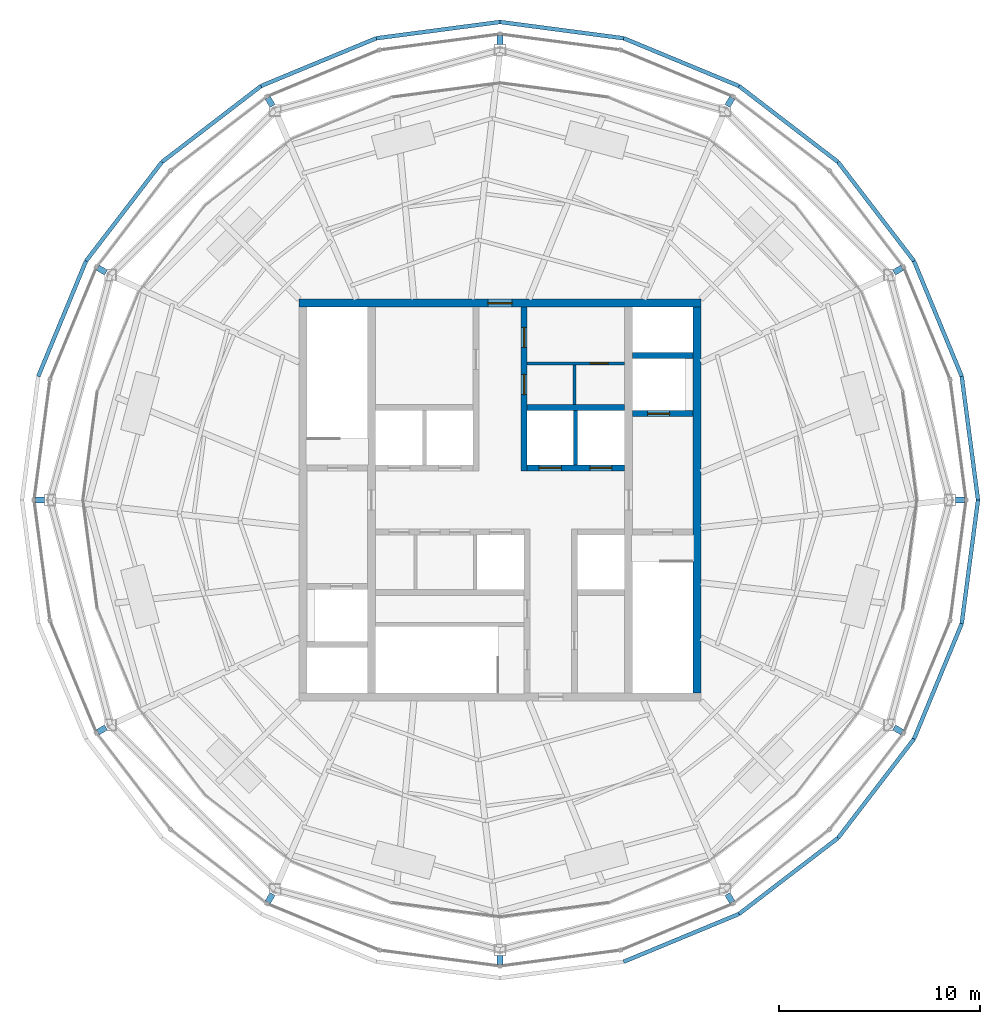
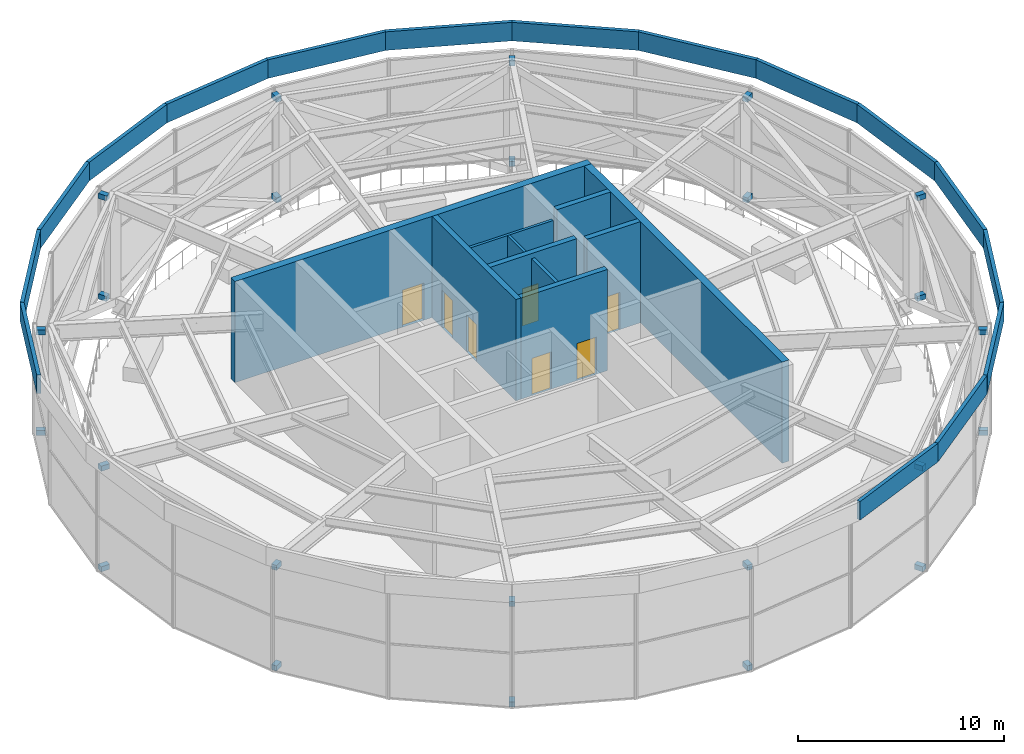
# One storey, part 10 of 13: 26 walls, 24 discrete accessories, 7 doors, 7 openings.
"""IFC4 building model written with IfcOpenShell, lengths in metres."""

from ifc_helpers import new_model, si_unit, direction, frame, frame_2d, origin, origin_2d, place, context, subcontext, project, spatial, rectangle, extrude, material, layer, layer_set, type_object, element, fill, save


model = new_model("IFC4")

# Units and contexts
model_context = context("Model", 3, precision=1e-05, world=origin(), true_north=direction((0.0, 1.0)))
body_context = subcontext(model_context, "Body", "Model", "MODEL_VIEW")
ifc_project = project(units=[si_unit("LENGTHUNIT", "METRE"), si_unit("AREAUNIT", "SQUARE_METRE"), si_unit("VOLUMEUNIT", "CUBIC_METRE"), si_unit("PLANEANGLEUNIT", "RADIAN"), si_unit("MASSUNIT", "GRAM", prefix="KILO")], contexts=[model_context])

# Site, building, storey
site_placement = place(None, origin())
site = spatial("IfcSite", under=ifc_project, at=site_placement, CompositionType="ELEMENT")
building_placement = place(site_placement, origin())
building = spatial("IfcBuilding", under=site, at=building_placement, Name="Golbaran Civic Tower", CompositionType="ELEMENT")
storey_placement = place(building_placement, frame((0.0, 0.0, 284.0)))
storey = spatial("IfcBuildingStorey", under=building, at=storey_placement, Name="L69", CompositionType="ELEMENT", Elevation=284.0)

# Wall, opening, door
ifc_material_1 = material(Name="Concrete block", Category="concrete")
ifc_layer_1 = layer(ifc_material_1, 0.14990234375, Name="Concrete block")
ifc_layer_set_1 = layer_set([ifc_layer_1], Name="Concrete block")
wall_type_1 = type_object("IfcWallType", Name="BLOCKWORK PARTITION 150", PredefinedType="PARTITIONING", material=ifc_layer_set_1)
wall_1_placement = place(storey_placement, frame((1.35009765625, 6.800048828125, 0.0), z_axis=(0.0, 0.0, 1.0), x_axis=(1.0, 0.0, 0.0)))
wall_1 = element("IfcWall", 1, at=wall_1_placement, inside=storey, type_object=wall_type_1, Name="Toilet block partition TN1 L69", PredefinedType="PARTITIONING", context=body_context, shape_type="SweptSolid", body=[
    extrude(rectangle(XDim=4.849853515625, YDim=0.14990234375, at=frame_2d((2.4248046875, 0.0))), origin(), (0.0, 0.0, 1.0), 5.699951171875),
])
opening_1_placement = place(wall_1_placement, frame((3.14990234375, 0.0, 0.0)))
opening_1 = element("IfcOpeningElement", 2, at=opening_1_placement, cuts=wall_1, Name="Opening L69.CLN", PredefinedType="OPENING", context=body_context, shape_type="SweptSolid", body=[
    extrude(rectangle(XDim=0.89990234375, YDim=2.199951171875, at=frame_2d((0.449951171875, 1.10009765625))), frame((0.0, 0.0849609375, 0.0), z_axis=(0.0, -1.0, 0.0), x_axis=(1.0, 0.0, 0.0)), (0.0, 0.0, 1.0), 0.169921875),
])
ifc_material_2 = material(Name="Timber door set in steel frame", Category="steel")
door_type_1 = type_object("IfcDoorType", Name="RISER DOOR 900x2200", OperationType="SINGLE_SWING_LEFT", PredefinedType="DOOR", material=ifc_material_2)
door_1_placement = place(opening_1_placement, origin())
door_1 = element("IfcDoor", 3, at=door_1_placement, inside=storey, type_object=door_type_1, Name="Cleaner's Store door", OperationType="SINGLE_SWING_RIGHT", OverallHeight=2.199951171875, OverallWidth=0.89990234375, PredefinedType="DOOR", context=body_context, shape_type="SweptSolid", body=[
    extrude(rectangle(XDim=0.89990234375, YDim=2.199951171875, at=frame_2d((0.449951171875, 1.10009765625))), frame((0.0, 0.02490234375, 0.0), z_axis=(0.0, -1.0, 0.0), x_axis=(1.0, 0.0, 0.0)), (0.0, 0.0, 1.0), 0.050048828125),
])
fill(opening_1, door_1)

# Walls
wall_2_placement = place(storey_placement, frame((3.699951171875, 4.75, 0.0), z_axis=(0.0, 0.0, 1.0), x_axis=(0.0, 1.0, 0.0)))
element("IfcWall", 4, at=wall_2_placement, inside=storey, type_object=wall_type_1, Name="Toilet block partition TN2 L69", PredefinedType="PARTITIONING", context=body_context, shape_type="SweptSolid", body=[
    extrude(rectangle(XDim=1.97509765625, YDim=0.14990234375, at=frame_2d((0.987548828125, 0.0))), origin(), (0.0, 0.0, 1.0), 5.699951171875),
])
ifc_material_3 = material(Name="Terracotta rainscreen on light steel framing", Category="masonry")
ifc_layer_2 = layer(ifc_material_3, 0.199951171875, Name="Terracotta rainscreen on light steel framing")
ifc_layer_set_2 = layer_set([ifc_layer_2], Name="Terracotta rainscreen on light steel framing")
wall_type_2 = type_object("IfcWallType", Name="CANOPY PARAPET RAINSCREEN 200", PredefinedType="PARAPET", material=ifc_layer_set_2)
for number, where, z_axis, x_axis, name in (
    (5, (23.799072265625, 0.0, 6.0), (0.0, 0.0, 1.0), (-0.130503305206, 0.991447874238, 0.0), "Canopy roof parapet 1"),
    (6, (22.98828125, 6.15966796875, 6.0), (0.0, 0.0, 1.0), (-0.38269768494, 0.923873628773, 0.0), "Canopy roof parapet 2"),
):
    element("IfcWall", number, at=place(storey_placement, frame(where, z_axis=z_axis, x_axis=x_axis)), inside=storey, type_object=wall_type_2, Name=name, PredefinedType="PARAPET", context=body_context, shape_type="SweptSolid", body=[
        extrude(rectangle(XDim=6.212890625, YDim=0.199951171875, at=frame_2d((3.1064453125, 0.0))), origin(), (0.0, 0.0, 1.0), 1.10009765625),
    ])
for number, where, z_axis, x_axis, name in (
    (7, (20.610595703125, 11.899658203125, 6.0), (0.0, 0.0, 1.0), (-0.608747465187, 0.793364054913, 0.0), "Canopy roof parapet 3"),
    (8, (16.82861328125, 16.82861328125, 6.0), (0.0, 0.0, 1.0), (-0.793364054913, 0.608747465187, 0.0), "Canopy roof parapet 4"),
):
    element("IfcWall", number, at=place(storey_placement, frame(where, z_axis=z_axis, x_axis=x_axis)), inside=storey, type_object=wall_type_2, Name=name, PredefinedType="PARAPET", context=body_context, shape_type="SweptSolid", body=[
        extrude(rectangle(XDim=6.212646484375, YDim=0.199951171875, at=frame_2d((3.1064453125, 0.0))), origin(), (0.0, 0.0, 1.0), 1.10009765625),
    ])
for number, where, z_axis, x_axis, name in (
    (9, (11.899658203125, 20.610595703125, 6.0), (0.0, 0.0, 1.0), (-0.923873628773, 0.38269768494, 0.0), "Canopy roof parapet 5"),
    (10, (6.15966796875, 22.98828125, 6.0), (0.0, 0.0, 1.0), (-0.991447874238, 0.130503305206, 0.0), "Canopy roof parapet 6"),
    (11, (0.0, 23.799072265625, 6.0), (0.0, 0.0, 1.0), (-0.991447874238, -0.130503305206, 0.0), "Canopy roof parapet 7"),
    (12, (-6.15966796875, 22.98828125, 6.0), (0.0, 0.0, 1.0), (-0.923873628773, -0.38269768494, 0.0), "Canopy roof parapet 8"),
):
    element("IfcWall", number, at=place(storey_placement, frame(where, z_axis=z_axis, x_axis=x_axis)), inside=storey, type_object=wall_type_2, Name=name, PredefinedType="PARAPET", context=body_context, shape_type="SweptSolid", body=[
        extrude(rectangle(XDim=6.212890625, YDim=0.199951171875, at=frame_2d((3.1064453125, 0.0))), origin(), (0.0, 0.0, 1.0), 1.10009765625),
    ])
for number, where, z_axis, x_axis, name in (
    (13, (-11.899658203125, 20.610595703125, 6.0), (0.0, 0.0, 1.0), (-0.793364054913, -0.608747465187, 0.0), "Canopy roof parapet 9"),
    (14, (-16.82861328125, 16.82861328125, 6.0), (0.0, 0.0, 1.0), (-0.608747465187, -0.793364054913, 0.0), "Canopy roof parapet 10"),
):
    element("IfcWall", number, at=place(storey_placement, frame(where, z_axis=z_axis, x_axis=x_axis)), inside=storey, type_object=wall_type_2, Name=name, PredefinedType="PARAPET", context=body_context, shape_type="SweptSolid", body=[
        extrude(rectangle(XDim=6.212646484375, YDim=0.199951171875, at=frame_2d((3.1064453125, 0.0))), origin(), (0.0, 0.0, 1.0), 1.10009765625),
    ])
for number, where, z_axis, x_axis, name in (
    (15, (-20.610595703125, 11.899658203125, 6.0), (0.0, 0.0, 1.0), (-0.38269768494, -0.923873628773, 0.0), "Canopy roof parapet 11"),
    (16, (6.15966796875, -22.98828125, 6.0), (0.0, 0.0, 1.0), (0.923873628773, 0.38269768494, 0.0), "Canopy roof parapet 20"),
):
    element("IfcWall", number, at=place(storey_placement, frame(where, z_axis=z_axis, x_axis=x_axis)), inside=storey, type_object=wall_type_2, Name=name, PredefinedType="PARAPET", context=body_context, shape_type="SweptSolid", body=[
        extrude(rectangle(XDim=6.212890625, YDim=0.199951171875, at=frame_2d((3.1064453125, 0.0))), origin(), (0.0, 0.0, 1.0), 1.10009765625),
    ])
for number, where, z_axis, x_axis, name in (
    (17, (11.899658203125, -20.610595703125, 6.0), (0.0, 0.0, 1.0), (0.793364054913, 0.608747465187, 0.0), "Canopy roof parapet 21"),
    (18, (16.82861328125, -16.82861328125, 6.0), (0.0, 0.0, 1.0), (0.608747465187, 0.793364054913, 0.0), "Canopy roof parapet 22"),
):
    element("IfcWall", number, at=place(storey_placement, frame(where, z_axis=z_axis, x_axis=x_axis)), inside=storey, type_object=wall_type_2, Name=name, PredefinedType="PARAPET", context=body_context, shape_type="SweptSolid", body=[
        extrude(rectangle(XDim=6.212646484375, YDim=0.199951171875, at=frame_2d((3.1064453125, 0.0))), origin(), (0.0, 0.0, 1.0), 1.10009765625),
    ])
for number, where, z_axis, x_axis, name in (
    (19, (20.610595703125, -11.899658203125, 6.0), (0.0, 0.0, 1.0), (0.38269768494, 0.923873628773, 0.0), "Canopy roof parapet 23"),
    (20, (22.98828125, -6.15966796875, 6.0), (0.0, 0.0, 1.0), (0.130503305206, 0.991447874238, 0.0), "Canopy roof parapet 24"),
):
    element("IfcWall", number, at=place(storey_placement, frame(where, z_axis=z_axis, x_axis=x_axis)), inside=storey, type_object=wall_type_2, Name=name, PredefinedType="PARAPET", context=body_context, shape_type="SweptSolid", body=[
        extrude(rectangle(XDim=6.212890625, YDim=0.199951171875, at=frame_2d((3.1064453125, 0.0))), origin(), (0.0, 0.0, 1.0), 1.10009765625),
    ])

# Wall, opening, door
ifc_material_4 = material(Name="Concrete C50/60", Category="concrete")
ifc_layer_3 = layer(ifc_material_4, 0.39990234375, Name="Concrete C50/60")
ifc_layer_set_3 = layer_set([ifc_layer_3], Name="Concrete C50/60")
wall_type_3 = type_object("IfcWallType", Name="CORE WALL CONCRETE 400", PredefinedType="SOLIDWALL", material=ifc_layer_set_3)
wall_3_placement = place(storey_placement, frame((-10.0, 9.800048828125, 0.0), z_axis=(0.0, 0.0, 1.0), x_axis=(1.0, 0.0, 0.0)))
wall_3 = element("IfcWall", 21, at=wall_3_placement, inside=storey, type_object=wall_type_3, Name="Core wall CN L69", PredefinedType="SOLIDWALL", context=body_context, shape_type="SweptSolid", body=[
    extrude(rectangle(XDim=20.0, YDim=0.39990234375, at=frame_2d((10.0, 0.0))), origin(), (0.0, 0.0, 1.0), 6.0),
])
opening_2_placement = place(wall_3_placement, frame((9.39990234375, 0.0, 0.0)))
opening_2 = element("IfcOpeningElement", 22, at=opening_2_placement, cuts=wall_3, Name="Opening L69.CN", PredefinedType="OPENING", context=body_context, shape_type="SweptSolid", body=[
    extrude(rectangle(XDim=1.199951171875, YDim=2.199951171875, at=frame_2d((0.60009765625, 1.10009765625))), frame((0.0, 0.2099609375, 0.0), z_axis=(0.0, -1.0, 0.0), x_axis=(1.0, 0.0, 0.0)), (0.0, 0.0, 1.0), 0.419921875),
])
door_type_2 = type_object("IfcDoorType", Name="CORE DOOR 1200x2200", OperationType="DOUBLE_DOOR_SINGLE_SWING", PredefinedType="DOOR", material=ifc_material_2)
door_2_placement = place(opening_2_placement, origin())
door_2 = element("IfcDoor", 23, at=door_2_placement, inside=storey, type_object=door_type_2, Name="Core door north to the roof terrace", OperationType="DOUBLE_DOOR_SINGLE_SWING", OverallHeight=2.199951171875, OverallWidth=1.199951171875, PredefinedType="DOOR", context=body_context, shape_type="SweptSolid", body=[
    extrude(rectangle(XDim=1.199951171875, YDim=2.199951171875, at=frame_2d((0.60009765625, 1.10009765625))), frame((0.0, 0.02490234375, 0.0), z_axis=(0.0, -1.0, 0.0), x_axis=(1.0, 0.0, 0.0)), (0.0, 0.0, 1.0), 0.050048828125),
])
fill(opening_2, door_2)

# Walls
wall_4_placement = place(storey_placement, frame((9.800048828125, -9.60009765625, 0.0), z_axis=(0.0, 0.0, 1.0), x_axis=(0.0, 1.0, 0.0)))
element("IfcWall", 24, at=wall_4_placement, inside=storey, type_object=wall_type_3, Name="Core wall CE L69", PredefinedType="SOLIDWALL", context=body_context, shape_type="SweptSolid", body=[
    extrude(rectangle(XDim=19.2001953125, YDim=0.39990234375, at=frame_2d((9.60009765625, 0.0))), origin(), (0.0, 0.0, 1.0), 6.0),
])
ifc_layer_4 = layer(ifc_material_1, 0.199951171875, Name="Concrete block")
ifc_layer_set_4 = layer_set([ifc_layer_4], Name="Concrete block")
wall_type_4 = type_object("IfcWallType", Name="LIFT SEPARATOR WALL 200", PredefinedType="SOLIDWALL", material=ifc_layer_set_4)
wall_5_placement = place(storey_placement, frame((3.75, 1.75, 0.0), z_axis=(0.0, 0.0, 1.0), x_axis=(0.0, 1.0, 0.0)))
element("IfcWall", 25, at=wall_5_placement, inside=storey, type_object=wall_type_4, Name="Core partition SNE L69", PredefinedType="SOLIDWALL", context=body_context, shape_type="SweptSolid", body=[
    extrude(rectangle(XDim=2.699951171875, YDim=0.199951171875, at=frame_2d((1.35009765625, 0.0))), origin(), (0.0, 0.0, 1.0), 5.699951171875),
])

# Wall, openings, doors
ifc_layer_5 = layer(ifc_material_4, 0.300048828125, Name="Concrete C50/60")
ifc_layer_set_5 = layer_set([ifc_layer_5], Name="Concrete C50/60")
wall_type_5 = type_object("IfcWallType", Name="SHAFT WALL CONCRETE 300", PredefinedType="SOLIDWALL", material=ifc_layer_set_5)
wall_6_placement = place(storey_placement, frame((1.35009765625, 1.60009765625, 0.0), z_axis=(0.0, 0.0, 1.0), x_axis=(1.0, 0.0, 0.0)))
wall_6 = element("IfcWall", 26, at=wall_6_placement, inside=storey, type_object=wall_type_5, Name="Core wall FNE L69", PredefinedType="SOLIDWALL", context=body_context, shape_type="SweptSolid", body=[
    extrude(rectangle(XDim=4.849853515625, YDim=0.300048828125, at=frame_2d((2.4248046875, 0.0))), origin(), (0.0, 0.0, 1.0), 6.0),
])
opening_3_placement = place(wall_6_placement, frame((0.60009765625, 0.0, 0.0)))
opening_3 = element("IfcOpeningElement", 27, at=opening_3_placement, cuts=wall_6, Name="Opening L69.LD-Z3T", PredefinedType="OPENING", context=body_context, shape_type="SweptSolid", body=[
    extrude(rectangle(XDim=1.10009765625, YDim=2.199951171875, at=frame_2d((0.550048828125, 1.10009765625))), frame((0.0, 0.159912109375, 0.0), z_axis=(0.0, -1.0, 0.0), x_axis=(1.0, 0.0, 0.0)), (0.0, 0.0, 1.0), 0.320068359375),
])
opening_4_placement = place(wall_6_placement, frame((3.125, 0.0, 0.0)))
opening_4 = element("IfcOpeningElement", 28, at=opening_4_placement, cuts=wall_6, Name="Opening L69.LD-Z4T", PredefinedType="OPENING", context=body_context, shape_type="SweptSolid", body=[
    extrude(rectangle(XDim=1.10009765625, YDim=2.199951171875, at=frame_2d((0.550048828125, 1.10009765625))), frame((0.0, 0.159912109375, 0.0), z_axis=(0.0, -1.0, 0.0), x_axis=(1.0, 0.0, 0.0)), (0.0, 0.0, 1.0), 0.320068359375),
])
ifc_material_5 = material(Name="Stainless steel", Category="steel")
door_type_3 = type_object("IfcDoorType", Name="LIFT LANDING DOOR 1100x2200", OperationType="SLIDING_TO_LEFT", PredefinedType="DOOR", material=ifc_material_5)
door_3_placement = place(opening_3_placement, origin())
door_3 = element("IfcDoor", 29, at=door_3_placement, inside=storey, type_object=door_type_3, Name="Lift landing door Z3T", OperationType="SLIDING_TO_LEFT", OverallHeight=2.199951171875, OverallWidth=1.10009765625, PredefinedType="DOOR", context=body_context, shape_type="SweptSolid", body=[
    extrude(rectangle(XDim=1.10009765625, YDim=2.199951171875, at=frame_2d((0.550048828125, 1.10009765625))), frame((0.0, 0.02490234375, 0.0), z_axis=(0.0, -1.0, 0.0), x_axis=(1.0, 0.0, 0.0)), (0.0, 0.0, 1.0), 0.050048828125),
])
fill(opening_3, door_3)
door_4_placement = place(opening_4_placement, origin())
door_4 = element("IfcDoor", 30, at=door_4_placement, inside=storey, type_object=door_type_3, Name="Lift landing door Z4T", OperationType="SLIDING_TO_LEFT", OverallHeight=2.199951171875, OverallWidth=1.10009765625, PredefinedType="DOOR", context=body_context, shape_type="SweptSolid", body=[
    extrude(rectangle(XDim=1.10009765625, YDim=2.199951171875, at=frame_2d((0.550048828125, 1.10009765625))), frame((0.0, 0.02490234375, 0.0), z_axis=(0.0, -1.0, 0.0), x_axis=(1.0, 0.0, 0.0)), (0.0, 0.0, 1.0), 0.050048828125),
])
fill(opening_4, door_4)

# Wall
wall_7_placement = place(storey_placement, frame((1.35009765625, 4.60009765625, 0.0), z_axis=(0.0, 0.0, 1.0), x_axis=(1.0, 0.0, 0.0)))
element("IfcWall", 31, at=wall_7_placement, inside=storey, type_object=wall_type_5, Name="Core wall BNE L69", PredefinedType="SOLIDWALL", context=body_context, shape_type="SweptSolid", body=[
    extrude(rectangle(XDim=4.849853515625, YDim=0.300048828125, at=frame_2d((2.4248046875, 0.0))), origin(), (0.0, 0.0, 1.0), 6.0),
])

# Wall, openings, doors
wall_8_placement = place(storey_placement, frame((1.199951171875, 1.449951171875, 0.0), z_axis=(0.0, 0.0, 1.0), x_axis=(0.0, 1.0, 0.0)))
wall_8 = element("IfcWall", 32, at=wall_8_placement, inside=storey, type_object=wall_type_5, Name="Core wall PNE L69", PredefinedType="SOLIDWALL", context=body_context, shape_type="SweptSolid", body=[
    extrude(rectangle(XDim=8.150146484375, YDim=0.300048828125, at=frame_2d((4.0751953125, 0.0))), origin(), (0.0, 0.0, 1.0), 6.0),
])
opening_5_placement = place(wall_8_placement, frame((3.800048828125, 0.0, 0.0)))
opening_5 = element("IfcOpeningElement", 33, at=opening_5_placement, cuts=wall_8, Name="Opening L69.WCA", PredefinedType="OPENING", context=body_context, shape_type="SweptSolid", body=[
    extrude(rectangle(XDim=1.0, YDim=2.199951171875, at=frame_2d((0.5, 1.10009765625))), frame((0.0, 0.159912109375, 0.0), z_axis=(0.0, -1.0, 0.0), x_axis=(1.0, 0.0, 0.0)), (0.0, 0.0, 1.0), 0.320068359375),
])
opening_6_placement = place(wall_8_placement, frame((6.14990234375, 0.0, 0.0)))
opening_6 = element("IfcOpeningElement", 34, at=opening_6_placement, cuts=wall_8, Name="Opening L69.WCF", PredefinedType="OPENING", context=body_context, shape_type="SweptSolid", body=[
    extrude(rectangle(XDim=1.0, YDim=2.199951171875, at=frame_2d((0.5, 1.10009765625))), frame((0.0, 0.159912109375, 0.0), z_axis=(0.0, -1.0, 0.0), x_axis=(1.0, 0.0, 0.0)), (0.0, 0.0, 1.0), 0.320068359375),
])
door_type_4 = type_object("IfcDoorType", Name="TOILET DOOR 1000x2200", OperationType="SINGLE_SWING_LEFT", PredefinedType="DOOR", material=ifc_material_2)
door_5_placement = place(opening_5_placement, origin())
door_5 = element("IfcDoor", 35, at=door_5_placement, inside=storey, type_object=door_type_4, Name="Accessible WC door", OperationType="SINGLE_SWING_RIGHT", OverallHeight=2.199951171875, OverallWidth=1.0, PredefinedType="DOOR", context=body_context, shape_type="SweptSolid", body=[
    extrude(rectangle(XDim=1.0, YDim=2.199951171875, at=frame_2d((0.5, 1.10009765625))), frame((0.0, 0.02490234375, 0.0), z_axis=(0.0, -1.0, 0.0), x_axis=(1.0, 0.0, 0.0)), (0.0, 0.0, 1.0), 0.050048828125),
])
fill(opening_5, door_5)
door_6_placement = place(opening_6_placement, origin())
door_6 = element("IfcDoor", 36, at=door_6_placement, inside=storey, type_object=door_type_4, Name="North-east toilet block door", OperationType="SINGLE_SWING_RIGHT", OverallHeight=2.199951171875, OverallWidth=1.0, PredefinedType="DOOR", context=body_context, shape_type="SweptSolid", body=[
    extrude(rectangle(XDim=1.0, YDim=2.199951171875, at=frame_2d((0.5, 1.10009765625))), frame((0.0, 0.02490234375, 0.0), z_axis=(0.0, -1.0, 0.0), x_axis=(1.0, 0.0, 0.0)), (0.0, 0.0, 1.0), 0.050048828125),
])
fill(opening_6, door_6)

# Wall, opening, door
wall_9_placement = place(storey_placement, frame((6.60009765625, 4.300048828125, 0.0), z_axis=(0.0, 0.0, 1.0), x_axis=(1.0, 0.0, 0.0)))
wall_9 = element("IfcWall", 37, at=wall_9_placement, inside=storey, type_object=wall_type_5, Name="Core wall XE2 L69", PredefinedType="SOLIDWALL", context=body_context, shape_type="SweptSolid", body=[
    extrude(rectangle(XDim=3.0, YDim=0.300048828125, at=frame_2d((1.5, 0.0))), origin(), (0.0, 0.0, 1.0), 6.0),
])
opening_7_placement = place(wall_9_placement, frame((0.75, 0.0, 0.0)))
opening_7 = element("IfcOpeningElement", 38, at=opening_7_placement, cuts=wall_9, Name="Opening L69.LD-F2", PredefinedType="OPENING", context=body_context, shape_type="SweptSolid", body=[
    extrude(rectangle(XDim=1.10009765625, YDim=2.199951171875, at=frame_2d((0.550048828125, 1.10009765625))), frame((0.0, 0.159912109375, 0.0), z_axis=(0.0, -1.0, 0.0), x_axis=(1.0, 0.0, 0.0)), (0.0, 0.0, 1.0), 0.320068359375),
])
door_7_placement = place(opening_7_placement, origin())
door_7 = element("IfcDoor", 39, at=door_7_placement, inside=storey, type_object=door_type_3, Name="Lift landing door F2", OperationType="SLIDING_TO_LEFT", OverallHeight=2.199951171875, OverallWidth=1.10009765625, PredefinedType="DOOR", context=body_context, shape_type="SweptSolid", body=[
    extrude(rectangle(XDim=1.10009765625, YDim=2.199951171875, at=frame_2d((0.550048828125, 1.10009765625))), frame((0.0, 0.02490234375, 0.0), z_axis=(0.0, -1.0, 0.0), x_axis=(1.0, 0.0, 0.0)), (0.0, 0.0, 1.0), 0.050048828125),
])
fill(opening_7, door_7)

# Wall
wall_10_placement = place(storey_placement, frame((6.60009765625, 7.199951171875, 0.0), z_axis=(0.0, 0.0, 1.0), x_axis=(1.0, 0.0, 0.0)))
element("IfcWall", 40, at=wall_10_placement, inside=storey, type_object=wall_type_5, Name="Core wall XE3 L69", PredefinedType="SOLIDWALL", context=body_context, shape_type="SweptSolid", body=[
    extrude(rectangle(XDim=3.0, YDim=0.300048828125, at=frame_2d((1.5, 0.0))), origin(), (0.0, 0.0, 1.0), 6.0),
])

# Discrete accessories
ifc_material_6 = material(Name="Steel S355", Category="steel")
discrete_accessory_type = type_object("IfcDiscreteAccessoryType", Name="OUTER SKIN BRACKET", PredefinedType="BRACKET", material=ifc_material_6)
for number, where, z_axis, x_axis, name in (
    (41, (22.885009765625, 0.0, -0.7099609375), (0.0, 0.0, 1.0), (1.0, 0.0, 0.0), "Crown screen base bracket 1"),
    (42, (22.885009765625, 0.0, 5.25), (0.0, 0.0, 1.0), (1.0, 0.0, 0.0), "Crown screen head bracket 1"),
    (43, (19.819091796875, 11.4423828125, -0.7099609375), (0.0, 0.0, 1.0), (0.866025403784, 0.5, 0.0), "Crown screen base bracket 2"),
    (44, (19.819091796875, 11.4423828125, 5.25), (0.0, 0.0, 1.0), (0.866025403784, 0.5, 0.0), "Crown screen head bracket 2"),
    (45, (11.4423828125, 19.819091796875, -0.7099609375), (0.0, 0.0, 1.0), (0.5, 0.866025403784, 0.0), "Crown screen base bracket 3"),
    (46, (11.4423828125, 19.819091796875, 5.25), (0.0, 0.0, 1.0), (0.5, 0.866025403784, 0.0), "Crown screen head bracket 3"),
    (47, (0.0, 22.885009765625, -0.7099609375), (0.0, 0.0, 1.0), (0.0, 1.0, 0.0), "Crown screen base bracket 4"),
    (48, (0.0, 22.885009765625, 5.25), (0.0, 0.0, 1.0), (0.0, 1.0, 0.0), "Crown screen head bracket 4"),
    (49, (-11.4423828125, 19.819091796875, -0.7099609375), (0.0, 0.0, 1.0), (-0.5, 0.866025403784, 0.0), "Crown screen base bracket 5"),
    (50, (-11.4423828125, 19.819091796875, 5.25), (0.0, 0.0, 1.0), (-0.5, 0.866025403784, 0.0), "Crown screen head bracket 5"),
    (51, (-19.819091796875, 11.4423828125, -0.7099609375), (0.0, 0.0, 1.0), (-0.866025403784, 0.5, 0.0), "Crown screen base bracket 6"),
    (52, (-19.819091796875, 11.4423828125, 5.25), (0.0, 0.0, 1.0), (-0.866025403784, 0.5, 0.0), "Crown screen head bracket 6"),
    (53, (-22.885009765625, 0.0, -0.7099609375), (0.0, 0.0, 1.0), (-1.0, 0.0, 0.0), "Crown screen base bracket 7"),
    (54, (-22.885009765625, 0.0, 5.25), (0.0, 0.0, 1.0), (-1.0, 0.0, 0.0), "Crown screen head bracket 7"),
    (55, (-19.819091796875, -11.4423828125, -0.7099609375), (0.0, 0.0, 1.0), (-0.866025403784, -0.5, 0.0), "Crown screen base bracket 8"),
    (56, (-19.819091796875, -11.4423828125, 5.25), (0.0, 0.0, 1.0), (-0.866025403784, -0.5, 0.0), "Crown screen head bracket 8"),
    (57, (-11.4423828125, -19.819091796875, -0.7099609375), (0.0, 0.0, 1.0), (-0.5, -0.866025403784, 0.0), "Crown screen base bracket 9"),
    (58, (-11.4423828125, -19.819091796875, 5.25), (0.0, 0.0, 1.0), (-0.5, -0.866025403784, 0.0), "Crown screen head bracket 9"),
    (59, (0.0, -22.885009765625, -0.7099609375), (0.0, 0.0, 1.0), (0.0, -1.0, 0.0), "Crown screen base bracket 10"),
    (60, (0.0, -22.885009765625, 5.25), (0.0, 0.0, 1.0), (0.0, -1.0, 0.0), "Crown screen head bracket 10"),
    (61, (11.4423828125, -19.819091796875, -0.7099609375), (0.0, 0.0, 1.0), (0.5, -0.866025403784, 0.0), "Crown screen base bracket 11"),
    (62, (11.4423828125, -19.819091796875, 5.25), (0.0, 0.0, 1.0), (0.5, -0.866025403784, 0.0), "Crown screen head bracket 11"),
    (63, (19.819091796875, -11.4423828125, -0.7099609375), (0.0, 0.0, 1.0), (0.866025403784, -0.5, 0.0), "Crown screen base bracket 12"),
    (64, (19.819091796875, -11.4423828125, 5.25), (0.0, 0.0, 1.0), (0.866025403784, -0.5, 0.0), "Crown screen head bracket 12"),
):
    element("IfcDiscreteAccessory", number, at=place(storey_placement, frame(where, z_axis=z_axis, x_axis=x_axis)), inside=storey, type_object=discrete_accessory_type, Name=name, PredefinedType="BRACKET", context=body_context, shape_type="SweptSolid", body=[
        extrude(rectangle(XDim=0.469970703125, YDim=0.300048828125, at=origin_2d()), origin(), (0.0, 0.0, 1.0), 0.300048828125),
    ])

save(model, "model.ifc")
